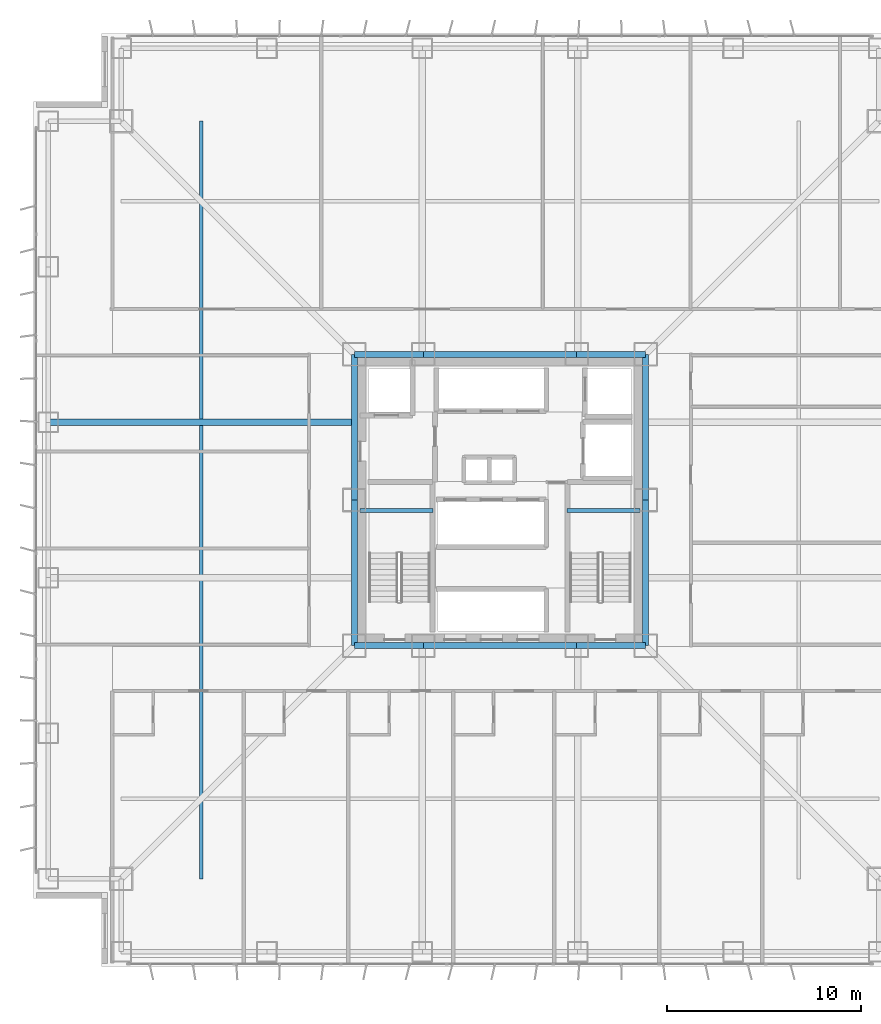
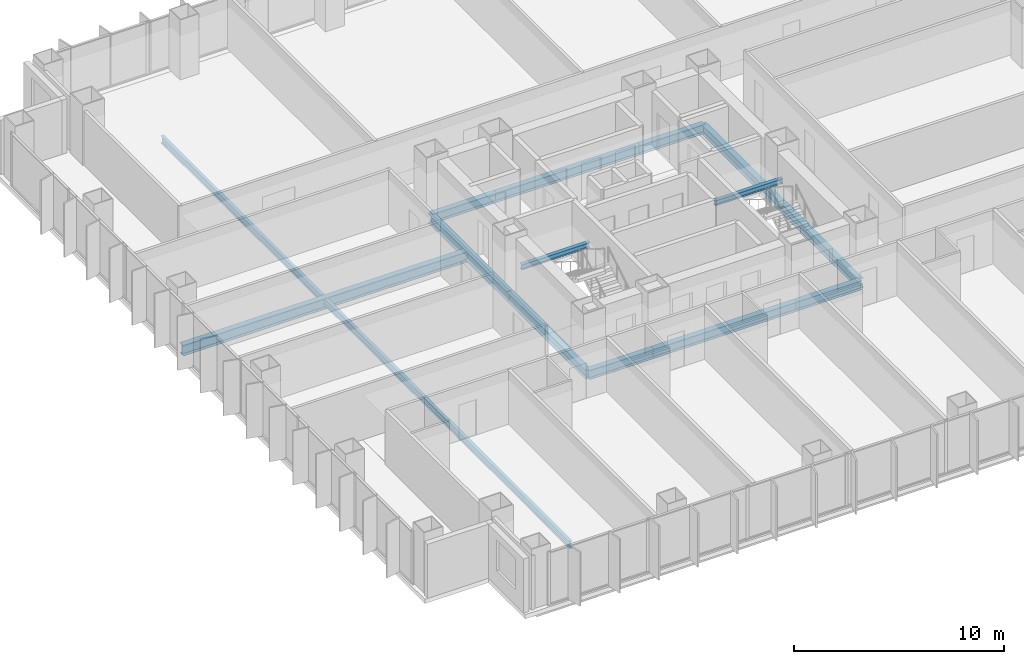
# One storey, part 5 of 19: 14 beams.
"""IFC4 building model written with IfcOpenShell, lengths in metres."""

from ifc_helpers import new_model, si_unit, direction, frame, origin, origin_2d, place, context, subcontext, project, spatial, i_section, extrude, material, material_profile, profile_set, type_object, element, save


model = new_model("IFC4")

# Units and contexts
model_context = context("Model", 3, precision=1e-05, world=origin(), true_north=direction((0.0, 1.0)))
body_context = subcontext(model_context, "Body", "Model", "MODEL_VIEW")
ifc_project = project(units=[si_unit("LENGTHUNIT", "METRE"), si_unit("AREAUNIT", "SQUARE_METRE"), si_unit("VOLUMEUNIT", "CUBIC_METRE"), si_unit("PLANEANGLEUNIT", "RADIAN"), si_unit("MASSUNIT", "GRAM", prefix="KILO")], contexts=[model_context])

# Site, building, storey
site_placement = place(None, origin())
site = spatial("IfcSite", under=ifc_project, at=site_placement, CompositionType="ELEMENT")
building_placement = place(site_placement, origin())
building = spatial("IfcBuilding", under=site, at=building_placement, Name="Trevonay Congress Spire", CompositionType="ELEMENT")
storey_placement = place(building_placement, frame((0.0, 0.0, 79.5)))
storey = spatial("IfcBuildingStorey", under=building, at=storey_placement, Name="L20", CompositionType="ELEMENT", Elevation=79.5)

# Beams
ifc_material = material(Name="Steel ASTM A572 Grade 50", Category="steel")
ifc_material_profile_1 = material_profile(ifc_material, i_section(OverallWidth=0.31201171875, OverallDepth=0.54296875, WebThickness=0.0126953125, FlangeThickness=0.020263671875, FilletRadius=0.014892578125, at=origin_2d()), Name="W530x150")
ifc_profile_set_1 = profile_set([ifc_material_profile_1], Name="Steel ASTM A572 Grade 50")
beam_type_1 = type_object("IfcBeamType", Name="BM-GIRD-W530X150", PredefinedType="BEAM", material=ifc_profile_set_1)
beam_1_placement = place(storey_placement, frame((-7.5, -7.5, -0.521484375), z_axis=(1.0, 0.0, 0.0), x_axis=(0.0, 1.0, 0.0)))
element("IfcBeam", 1, at=beam_1_placement, inside=storey, type_object=beam_type_1, Name="L20 structural beam BM-L20-CR-S1", PredefinedType="BEAM", context=body_context, shape_type="SweptSolid", body=[
    extrude(i_section(OverallWidth=0.31201171875, OverallDepth=0.54296875, WebThickness=0.0126953125, FlangeThickness=0.020263671875, FilletRadius=0.014892578125, at=origin_2d()), origin(), (0.0, 0.0, 1.0), 3.550048828125),
])
beam_2_placement = place(storey_placement, frame((-3.949951171875, -7.5, -0.521484375), z_axis=(1.0, 0.0, 0.0), x_axis=(0.0, 1.0, 0.0)))
element("IfcBeam", 2, at=beam_2_placement, inside=storey, type_object=beam_type_1, Name="L20 structural beam BM-L20-CR-S2", PredefinedType="BEAM", context=body_context, shape_type="SweptSolid", body=[
    extrude(i_section(OverallWidth=0.31201171875, OverallDepth=0.54296875, WebThickness=0.0126953125, FlangeThickness=0.020263671875, FilletRadius=0.014892578125, at=origin_2d()), origin(), (0.0, 0.0, 1.0), 7.89990234375),
])
for number, where, z_axis, x_axis, name in (
    (3, (3.949951171875, -7.5, -0.521484375), (1.0, 0.0, 0.0), (0.0, 1.0, 0.0), "L20 structural beam BM-L20-CR-S3"),
    (4, (-7.5, 7.5, -0.521484375), (1.0, 0.0, 0.0), (0.0, 1.0, 0.0), "L20 structural beam BM-L20-CR-N1"),
):
    element("IfcBeam", number, at=place(storey_placement, frame(where, z_axis=z_axis, x_axis=x_axis)), inside=storey, type_object=beam_type_1, Name=name, PredefinedType="BEAM", context=body_context, shape_type="SweptSolid", body=[
        extrude(i_section(OverallWidth=0.31201171875, OverallDepth=0.54296875, WebThickness=0.0126953125, FlangeThickness=0.020263671875, FilletRadius=0.014892578125, at=origin_2d()), origin(), (0.0, 0.0, 1.0), 3.550048828125),
    ])
beam_3_placement = place(storey_placement, frame((-3.949951171875, 7.5, -0.521484375), z_axis=(1.0, 0.0, 0.0), x_axis=(0.0, 1.0, 0.0)))
element("IfcBeam", 5, at=beam_3_placement, inside=storey, type_object=beam_type_1, Name="L20 structural beam BM-L20-CR-N2", PredefinedType="BEAM", context=body_context, shape_type="SweptSolid", body=[
    extrude(i_section(OverallWidth=0.31201171875, OverallDepth=0.54296875, WebThickness=0.0126953125, FlangeThickness=0.020263671875, FilletRadius=0.014892578125, at=origin_2d()), origin(), (0.0, 0.0, 1.0), 7.89990234375),
])
beam_4_placement = place(storey_placement, frame((3.949951171875, 7.5, -0.521484375), z_axis=(1.0, 0.0, 0.0), x_axis=(0.0, 1.0, 0.0)))
element("IfcBeam", 6, at=beam_4_placement, inside=storey, type_object=beam_type_1, Name="L20 structural beam BM-L20-CR-N3", PredefinedType="BEAM", context=body_context, shape_type="SweptSolid", body=[
    extrude(i_section(OverallWidth=0.31201171875, OverallDepth=0.54296875, WebThickness=0.0126953125, FlangeThickness=0.020263671875, FilletRadius=0.014892578125, at=origin_2d()), origin(), (0.0, 0.0, 1.0), 3.550048828125),
])
for number, where, z_axis, x_axis, name in (
    (7, (-7.5, -7.5, -0.521484375), (0.0, 1.0, 0.0), (-1.0, 0.0, 0.0), "L20 structural beam BM-L20-CR-W1"),
    (8, (-7.5, 0.0, -0.521484375), (0.0, 1.0, 0.0), (-1.0, 0.0, 0.0), "L20 structural beam BM-L20-CR-W2"),
    (9, (7.5, -7.5, -0.521484375), (0.0, 1.0, 0.0), (-1.0, 0.0, 0.0), "L20 structural beam BM-L20-CR-E1"),
    (10, (7.5, 0.0, -0.521484375), (0.0, 1.0, 0.0), (-1.0, 0.0, 0.0), "L20 structural beam BM-L20-CR-E2"),
):
    element("IfcBeam", number, at=place(storey_placement, frame(where, z_axis=z_axis, x_axis=x_axis)), inside=storey, type_object=beam_type_1, Name=name, PredefinedType="BEAM", context=body_context, shape_type="SweptSolid", body=[
        extrude(i_section(OverallWidth=0.31201171875, OverallDepth=0.54296875, WebThickness=0.0126953125, FlangeThickness=0.020263671875, FilletRadius=0.014892578125, at=origin_2d()), origin(), (0.0, 0.0, 1.0), 7.5),
    ])
ifc_material_profile_2 = material_profile(ifc_material, i_section(OverallWidth=0.324951171875, OverallDepth=0.615966796875, WebThickness=0.013916015625, FlangeThickness=0.021484375, FilletRadius=0.01806640625, at=origin_2d()), Name="W610x174")
ifc_profile_set_2 = profile_set([ifc_material_profile_2], Name="Steel ASTM A572 Grade 50")
beam_type_2 = type_object("IfcBeamType", Name="BM-GIRD-W610X174", PredefinedType="BEAM", material=ifc_profile_set_2)
beam_5_placement = place(storey_placement, frame((-7.5, 4.0, -0.55810546875), z_axis=(-1.0, 0.0, 0.0), x_axis=(0.0, -1.0, 0.0)))
element("IfcBeam", 11, at=beam_5_placement, inside=storey, type_object=beam_type_2, Name="L20 structural beam BM-L20-GW-P", PredefinedType="BEAM", context=body_context, shape_type="SweptSolid", body=[
    extrude(i_section(OverallWidth=0.324951171875, OverallDepth=0.615966796875, WebThickness=0.013916015625, FlangeThickness=0.021484375, FilletRadius=0.01806640625, at=origin_2d()), origin(), (0.0, 0.0, 1.0), 15.75),
])
ifc_material_profile_3 = material_profile(ifc_material, i_section(OverallWidth=0.177978515625, OverallDepth=0.406982421875, WebThickness=0.0078125, FlangeThickness=0.0126953125, FilletRadius=0.012939453125, at=origin_2d()), Name="W410x60")
ifc_profile_set_3 = profile_set([ifc_material_profile_3], Name="Steel ASTM A572 Grade 50")
beam_type_3 = type_object("IfcBeamType", Name="JS-COMP-W410X60", PredefinedType="JOIST", material=ifc_profile_set_3)
beam_6_placement = place(storey_placement, frame((-15.375, -19.5, -0.45361328125), z_axis=(0.0, 1.0, 0.0), x_axis=(-1.0, 0.0, 0.0)))
element("IfcBeam", 12, at=beam_6_placement, inside=storey, type_object=beam_type_3, Name="L20 structural beam JS-L20-RING-W", PredefinedType="JOIST", context=body_context, shape_type="SweptSolid", body=[
    extrude(i_section(OverallWidth=0.177978515625, OverallDepth=0.406982421875, WebThickness=0.0078125, FlangeThickness=0.0126953125, FilletRadius=0.012939453125, at=origin_2d()), origin(), (0.0, 0.0, 1.0), 39.0),
])
ifc_material_profile_4 = material_profile(ifc_material, i_section(OverallWidth=0.2041015625, OverallDepth=0.305908203125, WebThickness=0.008544921875, FlangeThickness=0.0146484375, FilletRadius=0.010986328125, at=origin_2d()), Name="W310x67")
ifc_profile_set_4 = profile_set([ifc_material_profile_4], Name="Steel ASTM A572 Grade 50")
beam_type_4 = type_object("IfcBeamType", Name="LN-CORE-W310X67", PredefinedType="LINTEL", material=ifc_profile_set_4)
for number, where, z_axis, x_axis, name in (
    (13, (-7.199951171875, -0.550048828125, 1.39697265625), (1.0, 0.0, 0.0), (0.0, 1.0, 0.0), "L20 structural beam BM-L20-HL-ST1"),
    (14, (3.449951171875, -0.550048828125, 1.39697265625), (1.0, 0.0, 0.0), (0.0, 1.0, 0.0), "L20 structural beam BM-L20-HL-ST2"),
):
    element("IfcBeam", number, at=place(storey_placement, frame(where, z_axis=z_axis, x_axis=x_axis)), inside=storey, type_object=beam_type_4, Name=name, PredefinedType="LINTEL", context=body_context, shape_type="SweptSolid", body=[
        extrude(i_section(OverallWidth=0.2041015625, OverallDepth=0.305908203125, WebThickness=0.008544921875, FlangeThickness=0.0146484375, FilletRadius=0.010986328125, at=origin_2d()), origin(), (0.0, 0.0, 1.0), 3.75),
    ])

save(model, "model.ifc")
